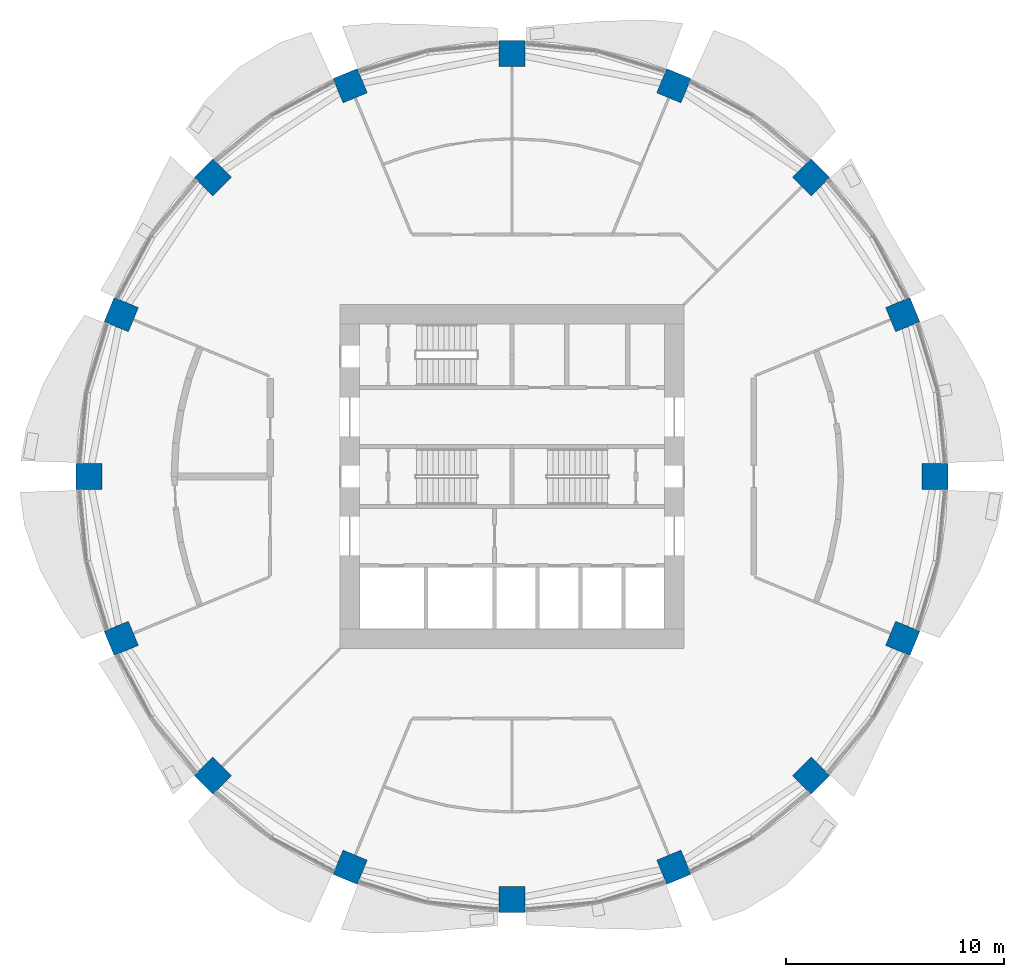
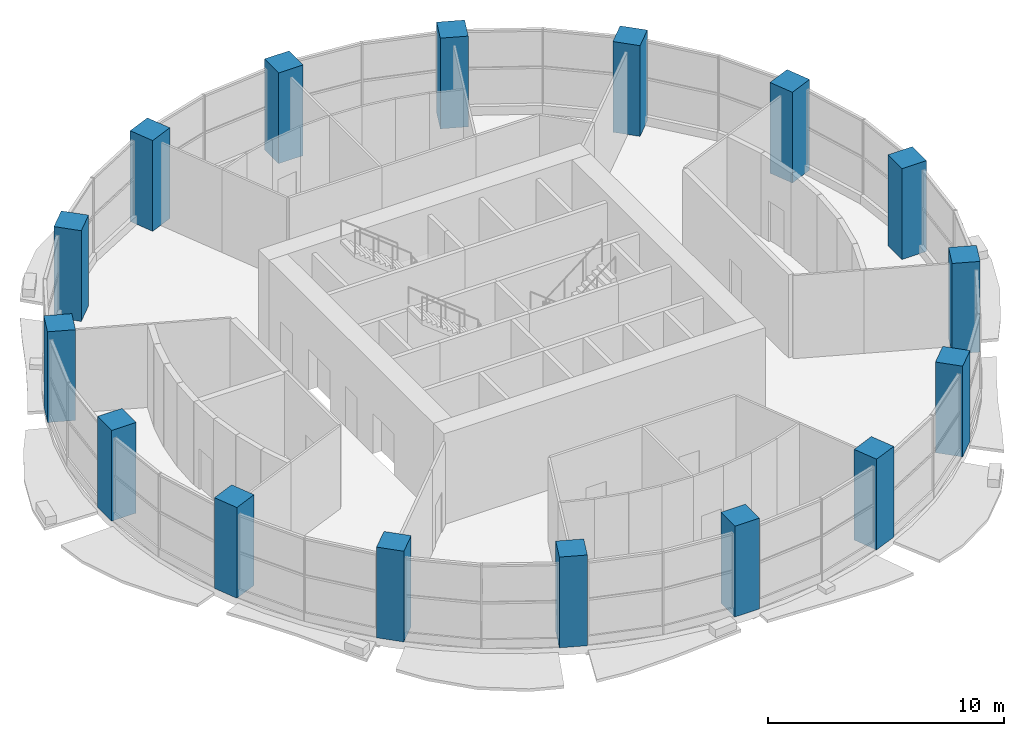
# One storey, part 1 of 14: 16 columns.
"""IFC4 building model written with IfcOpenShell, lengths in metres."""

from ifc_helpers import new_model, si_unit, direction, frame, origin, origin_2d, place, context, subcontext, project, spatial, rectangle, extrude, material, material_profile, profile_set, type_object, element, save


model = new_model("IFC4")

# Units and contexts
model_context = context("Model", 3, precision=1e-05, world=origin(), true_north=direction((0.0, 1.0)))
body_context = subcontext(model_context, "Body", "Model", "MODEL_VIEW")
ifc_project = project(units=[si_unit("LENGTHUNIT", "METRE"), si_unit("AREAUNIT", "SQUARE_METRE"), si_unit("VOLUMEUNIT", "CUBIC_METRE"), si_unit("PLANEANGLEUNIT", "RADIAN"), si_unit("MASSUNIT", "GRAM", prefix="KILO")], contexts=[model_context])

# Site, building, storey
site_placement = place(None, origin())
site = spatial("IfcSite", under=ifc_project, at=site_placement, CompositionType="ELEMENT")
building_placement = place(site_placement, origin())
building = spatial("IfcBuilding", under=site, at=building_placement, Name="Polderwave Tower", CompositionType="ELEMENT")
storey_placement = place(building_placement, frame((0.0, 0.0, 5.199951171875)))
storey = spatial("IfcBuildingStorey", under=building, at=storey_placement, Name="L01", CompositionType="ELEMENT", Elevation=5.199951171875)

# Columns
ifc_material = material(Name="Concrete C80/95", Category="concrete")
ifc_material_profile = material_profile(ifc_material, rectangle(XDim=1.199951171875, YDim=1.199951171875, at=origin_2d()), Name="RC 1200x1200")
ifc_profile_set = profile_set([ifc_material_profile], Name="Concrete C80/95")
column_type = type_object("IfcColumnType", Name="RC COLUMN 1200x1200 C80/95", PredefinedType="COLUMN", material=ifc_profile_set)
for number, where, z_axis, x_axis, name in (
    (1, (19.360107421875, 0.0, 0.0), (0.0, 0.0, 1.0), (1.0, 0.0, 0.0), "Ring column 01"),
    (2, (17.88623046875, 7.40869140625, 0.0), (0.0, 0.0, 1.0), (0.923879532511, 0.382683432365, 0.0), "Ring column 02"),
    (3, (13.689697265625, 13.689697265625, 0.0), (0.0, 0.0, 1.0), (0.707106781187, 0.707106781187, 0.0), "Ring column 03"),
    (4, (7.40869140625, 17.88623046875, 0.0), (0.0, 0.0, 1.0), (0.382683432365, 0.923879532511, 0.0), "Ring column 04"),
    (5, (0.0, 19.360107421875, 0.0), (0.0, 0.0, 1.0), (0.0, 1.0, 0.0), "Ring column 05"),
    (6, (-7.40869140625, 17.88623046875, 0.0), (0.0, 0.0, 1.0), (-0.382683432365, 0.923879532511, 0.0), "Ring column 06"),
    (7, (-13.689697265625, 13.689697265625, 0.0), (0.0, 0.0, 1.0), (-0.707106781187, 0.707106781187, 0.0), "Ring column 07"),
    (8, (-17.88623046875, 7.40869140625, 0.0), (0.0, 0.0, 1.0), (-0.923879532511, 0.382683432365, 0.0), "Ring column 08"),
    (9, (-19.360107421875, 0.0, 0.0), (0.0, 0.0, 1.0), (-1.0, 0.0, 0.0), "Ring column 09"),
    (10, (-17.88623046875, -7.40869140625, 0.0), (0.0, 0.0, 1.0), (-0.923879532511, -0.382683432365, 0.0), "Ring column 10"),
    (11, (-13.689697265625, -13.689697265625, 0.0), (0.0, 0.0, 1.0), (-0.707106781187, -0.707106781187, 0.0), "Ring column 11"),
    (12, (-7.40869140625, -17.88623046875, 0.0), (0.0, 0.0, 1.0), (-0.382683432365, -0.923879532511, 0.0), "Ring column 12"),
    (13, (0.0, -19.360107421875, 0.0), (0.0, 0.0, 1.0), (0.0, -1.0, 0.0), "Ring column 13"),
    (14, (7.40869140625, -17.88623046875, 0.0), (0.0, 0.0, 1.0), (0.382683432365, -0.923879532511, 0.0), "Ring column 14"),
    (15, (13.689697265625, -13.689697265625, 0.0), (0.0, 0.0, 1.0), (0.707106781187, -0.707106781187, 0.0), "Ring column 15"),
    (16, (17.88623046875, -7.40869140625, 0.0), (0.0, 0.0, 1.0), (0.923879532511, -0.382683432365, 0.0), "Ring column 16"),
):
    element("IfcColumn", number, at=place(storey_placement, frame(where, z_axis=z_axis, x_axis=x_axis)), inside=storey, type_object=column_type, Name=name, PredefinedType="COLUMN", context=body_context, shape_type="SweptSolid", body=[
        extrude(rectangle(XDim=1.199951171875, YDim=1.199951171875, at=origin_2d()), origin(), (0.0, 0.0, 1.0), 4.699951171875),
    ])

save(model, "model.ifc")
